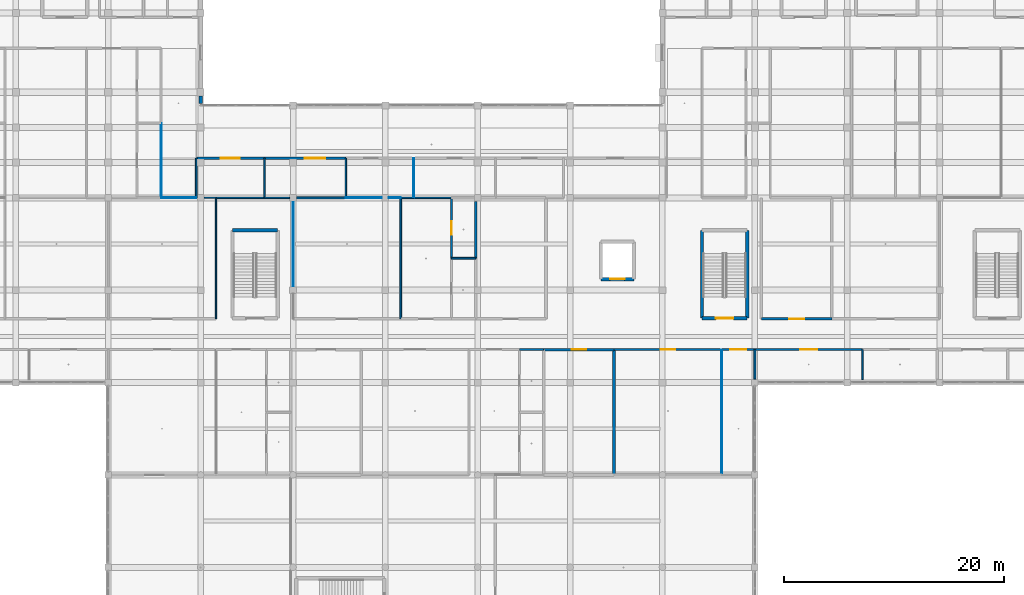
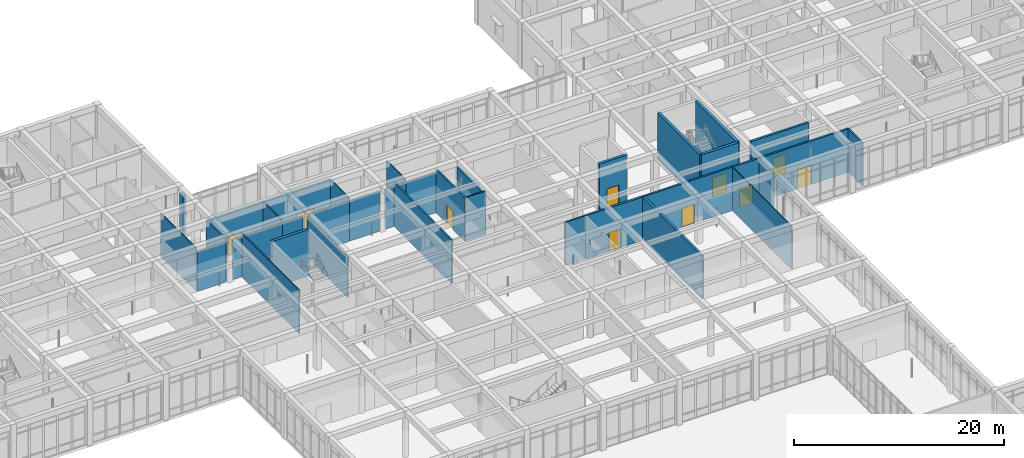
# One storey, part 86 of 157: 38 walls, 10 doors, 10 openings.
"""IFC4 building model written with IfcOpenShell, lengths in metres."""

import ifcopenshell
import ifcopenshell.guid

model = None  # the IFC model being written
_history = None  # IfcOwnerHistory: only IFC2X3 demands one
_inside = {}  # id of a spatial element -> (the spatial element, [elements in it])
_under = {}  # id of a project, library or spatial element -> (it, [spatial elements below it])
_declared = {}  # id of a project -> (the project, [libraries it declares])
_typed = {}  # id of a type object -> (the type object, [elements of that type])
_made_of = {}  # id of a material, layer set ... -> (it, [elements and type objects made of it])


def new_model(schema):
    """Start an empty IFC model of exactly this schema.

    Asked for "IFC4X3", IfcOpenShell would pick the latest addendum, in which some entities
    have other attributes; the version numbers below select the first issue.
    IFC2X3 requires an IfcOwnerHistory on every rooted entity: one is made here for all.
    """
    global model, _history
    if schema == "IFC4X3":
        model = ifcopenshell.file(schema_version=(4, 3, 0, 0))
    else:
        model = ifcopenshell.file(schema=schema)
    _inside.clear()
    _under.clear()
    _declared.clear()
    _typed.clear()
    _made_of.clear()
    _history = None
    if model.schema == "IFC2X3":
        org = make("IfcOrganization", Name="unknown")
        user = make(
            "IfcPersonAndOrganization",
            ThePerson=make("IfcPerson", FamilyName="unknown"),
            TheOrganization=org,
        )
        app = make(
            "IfcApplication",
            ApplicationDeveloper=org,
            Version="unknown",
            ApplicationFullName="unknown",
            ApplicationIdentifier="unknown",
        )
        _history = make(
            "IfcOwnerHistory",
            OwningUser=user,
            OwningApplication=app,
            ChangeAction="ADDED",
            CreationDate=0,
        )
    return model


def make(cls, **values):
    """One entity of the class cls with the attributes given. An attribute that is None is left unset."""
    return model.create_entity(
        cls, **{name: value for name, value in values.items() if value is not None}
    )


def rooted(cls, **values):
    """An entity with a GlobalId (a new one), such as an element, a storey or a relation."""
    return make(cls, GlobalId=ifcopenshell.guid.new(), OwnerHistory=_history, **values)


def si_unit(unit_type, name, prefix=None):
    """IfcSIUnit, for example si_unit("LENGTHUNIT", "METRE", prefix="MILLI")."""
    return make("IfcSIUnit", UnitType=unit_type, Prefix=prefix, Name=name)


def assignment(units):
    """IfcUnitAssignment: the units of a project."""
    return None if units is None else make("IfcUnitAssignment", Units=units)


def point(xyz):
    """IfcCartesianPoint."""
    return None if xyz is None else make("IfcCartesianPoint", Coordinates=xyz)


def direction(xyz):
    """IfcDirection."""
    return None if xyz is None else make("IfcDirection", DirectionRatios=xyz)


def frame(location, z_axis=None, x_axis=None):
    """IfcAxis2Placement3D, a coordinate frame: its origin and axes. An axis left out is left unset."""
    return make(
        "IfcAxis2Placement3D",
        Location=point(location),
        Axis=direction(z_axis),
        RefDirection=direction(x_axis),
    )


def frame_2d(location, x_axis=None):
    """IfcAxis2Placement2D, a coordinate frame in the plane: its origin and x axis."""
    return make(
        "IfcAxis2Placement2D", Location=point(location), RefDirection=direction(x_axis)
    )


def origin():
    """The frame at (0, 0, 0) with its axes left unset."""
    return frame((0.0, 0.0, 0.0))


def place(relative_to, where):
    """IfcLocalPlacement: puts the frame where relative to a parent placement (None: the world)."""
    return make(
        "IfcLocalPlacement", PlacementRelTo=relative_to, RelativePlacement=where
    )


def context(
    kind, dimensions, precision=None, world=None, true_north=None, identifier=None
):
    """IfcGeometricRepresentationContext, for example the 3D "Model" context."""
    return make(
        "IfcGeometricRepresentationContext",
        ContextIdentifier=identifier,
        ContextType=kind,
        CoordinateSpaceDimension=dimensions,
        Precision=precision,
        WorldCoordinateSystem=world,
        TrueNorth=true_north,
    )


def subcontext(parent, identifier, kind, view, scale=None):
    """IfcGeometricRepresentationSubContext, for example "Body" below "Model"."""
    return make(
        "IfcGeometricRepresentationSubContext",
        ContextIdentifier=identifier,
        ContextType=kind,
        ParentContext=parent,
        TargetScale=scale,
        TargetView=view,
    )


def project(units=None, contexts=None):
    """IfcProject with its units and contexts."""
    return rooted(
        "IfcProject",
        Name="project",
        RepresentationContexts=contexts,
        UnitsInContext=assignment(units),
    )


def spatial(cls, under=None, at=None, **own):
    """A site, building, storey or space (cls), placed at a placement, below another one or the project."""
    s = rooted(cls, ObjectPlacement=at, **own)
    if under is not None:
        _under.setdefault(under.id(), (under, []))[1].append(s)
    return s


def profile(cls, at=None, kind="AREA", **sizes):
    """A parametric profile (cls). Its sizes go by their IFC names, for example OverallWidth=200.0."""
    return make(cls, ProfileType=kind, Position=at, **sizes)


def rectangle(**sizes):
    """IfcRectangleProfileDef."""
    return profile("IfcRectangleProfileDef", **sizes)


def extrude(swept, where, along, depth):
    """IfcExtrudedAreaSolid: the profile swept, set in the frame where, extruded along a direction by depth."""
    return make(
        "IfcExtrudedAreaSolid",
        SweptArea=swept,
        Position=where,
        ExtrudedDirection=direction(along),
        Depth=depth,
    )


def shape(context_of_items, identifier, shape_type, items):
    """IfcShapeRepresentation: the items that make up one representation, for example the "Body"."""
    return make(
        "IfcShapeRepresentation",
        ContextOfItems=context_of_items,
        RepresentationIdentifier=identifier,
        RepresentationType=shape_type,
        Items=items,
    )


def material(Name=None, Category=None):
    """IfcMaterial."""
    return make("IfcMaterial", Name=Name, Category=Category)


def layer(
    of_material, thickness, ventilated=None, Name=None, Category=None, Priority=None
):
    """IfcMaterialLayer: one layer of a wall or slab, of a material (None: an air gap)."""
    return make(
        "IfcMaterialLayer",
        Material=of_material,
        LayerThickness=thickness,
        IsVentilated=ventilated,
        Name=Name,
        Category=Category,
        Priority=Priority,
    )


def layer_set(layers, Name=None):
    """IfcMaterialLayerSet."""
    return make("IfcMaterialLayerSet", MaterialLayers=layers, LayerSetName=Name)


def made_of(thing, what):
    """Note that an element or type object is made of a material, layer set ...; save() writes the relation."""
    if what is not None:
        _made_of.setdefault(what.id(), (what, []))[1].append(thing)
    return thing


def type_object(cls, material=None, **own):
    """A type object (cls), such as IfcWallType, which elements share."""
    return made_of(rooted(cls, **own), material)


def element(
    cls,
    number,
    at=None,
    inside=None,
    cuts=None,
    type_object=None,
    material=None,
    context=None,
    identifier="Body",
    shape_type=None,
    held_by="IfcProductDefinitionShape",
    body=None,
    shapes=None,
    **own,
):
    """One element of the class cls, such as IfcWall. Its Tag is "e" and its number.

    at: its placement. inside: the storey or other place that contains it. cuts: it is an
    opening in that element (IfcRelVoidsElement). A single representation is given by context,
    identifier, shape_type and body (its items); several are given by shapes. held_by: the class
    of the entity that holds the representations. save() writes the other relations.
    """
    e = rooted(cls, Tag="e%d" % number, ObjectPlacement=at, **own)
    if body is not None:
        shapes = [shape(context, identifier, shape_type, body)]
    if shapes is not None:
        e.Representation = make(held_by, Representations=shapes)
    if inside is not None:
        _inside.setdefault(inside.id(), (inside, []))[1].append(e)
    if cuts is not None:
        rooted(
            "IfcRelVoidsElement", RelatingBuildingElement=cuts, RelatedOpeningElement=e
        )
    if type_object is not None:
        _typed.setdefault(type_object.id(), (type_object, []))[1].append(e)
    return made_of(e, material)


def fill(opening, filler):
    """IfcRelFillsElement: the door or window that sits in an opening."""
    return rooted(
        "IfcRelFillsElement",
        RelatingOpeningElement=opening,
        RelatedBuildingElement=filler,
    )


def aggregate(whole, parts):
    """IfcRelAggregates: a whole, such as a stair, and the parts it consists of."""
    return rooted("IfcRelAggregates", RelatingObject=whole, RelatedObjects=parts)


def save(model, path):
    """Write the relations noted so far, then the file.

    IfcRelAggregates (storeys below a building ...), IfcRelContainedInSpatialStructure (elements
    in a storey), IfcRelDefinesByType, IfcRelAssociatesMaterial and IfcRelDeclares: one each for
    every whole, place, type object, material and project.
    """
    for whole, parts in _under.values():
        aggregate(whole, parts)
    for where, things in _inside.values():
        rooted(
            "IfcRelContainedInSpatialStructure",
            RelatedElements=things,
            RelatingStructure=where,
        )
    for kind, things in _typed.values():
        rooted("IfcRelDefinesByType", RelatedObjects=things, RelatingType=kind)
    for what, things in _made_of.values():
        rooted("IfcRelAssociatesMaterial", RelatedObjects=things, RelatingMaterial=what)
    for by, libraries in _declared.values():
        rooted("IfcRelDeclares", RelatingContext=by, RelatedDefinitions=libraries)
    model.write(path)


model = new_model("IFC4")

# Units and contexts
model_context = context("Model", 3, precision=1e-05, world=origin(), true_north=direction((0.0, 1.0)))
body_context = subcontext(model_context, "Body", "Model", "MODEL_VIEW")
ifc_project = project(units=[si_unit("LENGTHUNIT", "METRE"), si_unit("AREAUNIT", "SQUARE_METRE"), si_unit("VOLUMEUNIT", "CUBIC_METRE"), si_unit("PLANEANGLEUNIT", "RADIAN"), si_unit("MASSUNIT", "GRAM", prefix="KILO")], contexts=[model_context])

# Site, building, storey
site_placement = place(None, origin())
site = spatial("IfcSite", under=ifc_project, at=site_placement, CompositionType="ELEMENT")
building_placement = place(site_placement, origin())
building = spatial("IfcBuilding", under=site, at=building_placement, Name="Varncliffe General Hospital", CompositionType="ELEMENT")
storey_placement = place(building_placement, frame((0.0, 0.0, 5.39990234375)))
storey = spatial("IfcBuildingStorey", under=building, at=storey_placement, Name="L01", CompositionType="ELEMENT", Elevation=5.39990234375)

# Walls
ifc_material_1 = material(Name="Precast concrete C40/50 with insulated cream lime-cement stucco", Category="concrete")
ifc_layer_1 = layer(ifc_material_1, 0.31005859375)
ifc_layer_set_1 = layer_set([ifc_layer_1], Name="Precast concrete C40/50 with insulated cream lime-cement stucco")
wall_type_1 = type_object("IfcWallType", Name="Exterior Insulated Stucco Wall EW20 (310mm)", PredefinedType="SOLIDWALL", material=ifc_layer_set_1)
wall_1_placement = place(storey_placement, frame((67.199951171875, 108.876953125, 0.0), z_axis=(0.0, 0.0, 1.0), x_axis=(0.0, -1.0, 0.0)))
element("IfcWall", 1, at=wall_1_placement, inside=storey, type_object=wall_type_1, Name="L01 Exterior Stucco Wall EW20-124", PredefinedType="SOLIDWALL", context=body_context, shape_type="SweptSolid", body=[
    extrude(rectangle(XDim=0.681884765625, YDim=0.31005859375, at=frame_2d((0.3408203125, 0.0))), origin(), (0.0, 0.0, 1.0), 4.68017578125),
])
ifc_material_2 = material(Name="Acoustic clinical gypsum stud partition assembly", Category="gypsum")
ifc_layer_2 = layer(ifc_material_2, 0.1298828125)
ifc_layer_set_2 = layer_set([ifc_layer_2], Name="Acoustic clinical gypsum stud partition assembly")
wall_type_2 = type_object("IfcWallType", Name="Interior Partitioning IW11 (130mm)", PredefinedType="PARTITIONING", material=ifc_layer_set_2)
wall_2_placement = place(storey_placement, frame((68.60009765625, 99.60009765625, 0.0), z_axis=(0.0, 0.0, 1.0), x_axis=(1.0, 0.0, 0.0)))
element("IfcWall", 2, at=wall_2_placement, inside=storey, type_object=wall_type_2, Name="L01 Interior Partition Wall IW11-568", PredefinedType="PARTITIONING", context=body_context, shape_type="SweptSolid", body=[
    extrude(rectangle(XDim=4.39990234375, YDim=0.1298828125, at=frame_2d((2.199951171875, 0.0))), origin(), (0.0, 0.0, 1.0), 4.68505859375),
])
wall_3_placement = place(storey_placement, frame((85.39990234375, 99.60009765625, 0.0), z_axis=(0.0, 0.0, 1.0), x_axis=(1.0, 0.0, 0.0)))
element("IfcWall", 3, at=wall_3_placement, inside=storey, type_object=wall_type_2, Name="L01 Interior Partition Wall IW11-573", PredefinedType="PARTITIONING", context=body_context, shape_type="SweptSolid", body=[
    extrude(rectangle(XDim=1.2001953125, YDim=0.1298828125, at=frame_2d((0.60009765625, 0.0))), origin(), (0.0, 0.0, 1.0), 4.68505859375),
])
for number, where, z_axis, x_axis, name in (
    (4, (73.0, 99.60009765625, 0.0), (0.0, 0.0, 1.0), (0.0, 1.0, 0.0), "L01 Interior Partition Wall IW11-763"),
    (5, (80.39990234375, 99.60009765625, 0.0), (0.0, 0.0, 1.0), (0.0, 1.0, 0.0), "L01 Interior Partition Wall IW11-773"),
):
    element("IfcWall", number, at=place(storey_placement, frame(where, z_axis=z_axis, x_axis=x_axis)), inside=storey, type_object=wall_type_2, Name=name, PredefinedType="PARTITIONING", context=body_context, shape_type="SweptSolid", body=[
        extrude(rectangle(XDim=3.599853515625, YDim=0.1298828125, at=frame_2d((1.7998046875, 0.0))), origin(), (0.0, 0.0, 1.0), 5.050048828125),
    ])
ifc_layer_3 = layer(ifc_material_2, 0.169921875)
ifc_layer_set_3 = layer_set([ifc_layer_3], Name="Acoustic clinical gypsum stud partition assembly")
wall_type_3 = type_object("IfcWallType", Name="Interior Partitioning IW20 (170mm)", PredefinedType="PARTITIONING", material=ifc_layer_set_3)
wall_4_placement = place(storey_placement, frame((75.9150390625, 99.60009765625, 0.0), z_axis=(0.0, 0.0, 1.0), x_axis=(1.0, 0.0, 0.0)))
element("IfcWall", 6, at=wall_4_placement, inside=storey, type_object=wall_type_3, Name="L01 Interior Partition Wall IW20-570", PredefinedType="PARTITIONING", context=body_context, shape_type="SweptSolid", body=[
    extrude(rectangle(XDim=4.48486328125, YDim=0.169921875, at=frame_2d((2.242431640625, 0.0))), origin(), (0.0, 0.0, 1.0), 4.68505859375),
])
wall_5_placement = place(storey_placement, frame((66.800048828125, 99.60009765625, 0.0), z_axis=(0.0, 0.0, 1.0), x_axis=(0.0, 1.0, 0.0)))
element("IfcWall", 7, at=wall_5_placement, inside=storey, type_object=wall_type_3, Name="L01 Interior Partition Wall IW20-760", PredefinedType="PARTITIONING", context=body_context, shape_type="SweptSolid", body=[
    extrude(rectangle(XDim=3.599853515625, YDim=0.169921875, at=frame_2d((1.7998046875, 0.0))), origin(), (0.0, 0.0, 1.0), 5.050048828125),
])
wall_6_placement = place(storey_placement, frame((85.39990234375, 88.60009765625, 0.0), z_axis=(0.0, 0.0, 1.0), x_axis=(0.0, 1.0, 0.0)))
element("IfcWall", 8, at=wall_6_placement, inside=storey, type_object=wall_type_3, Name="L01 Interior Partition Wall IW20-775", PredefinedType="PARTITIONING", context=body_context, shape_type="SweptSolid", body=[
    extrude(rectangle(XDim=11.0, YDim=0.169921875, at=frame_2d((5.5, 0.0))), origin(), (0.0, 0.0, 1.0), 5.050048828125),
])
wall_7_placement = place(storey_placement, frame((117.60009765625, 83.114990234375, 0.0), z_axis=(0.0, 0.0, 1.0), x_axis=(0.0, 1.0, 0.0)))
element("IfcWall", 9, at=wall_7_placement, inside=storey, type_object=wall_type_3, Name="L01 Interior Partition Wall IW20-805", PredefinedType="PARTITIONING", context=body_context, shape_type="SweptSolid", body=[
    extrude(rectangle(XDim=2.68505859375, YDim=0.169921875, at=frame_2d((1.342529296875, 0.0))), origin(), (0.0, 0.0, 1.0), 4.735107421875),
])
ifc_layer_4 = layer(ifc_material_2, 0.14990234375)
ifc_layer_set_4 = layer_set([ifc_layer_4], Name="Acoustic clinical gypsum stud partition assembly")
wall_type_4 = type_object("IfcWallType", Name="Interior Partitioning IW35 (150mm)", PredefinedType="PARTITIONING", material=ifc_layer_set_4)
wall_8_placement = place(storey_placement, frame((73.0, 99.60009765625, 0.0), z_axis=(0.0, 0.0, 1.0), x_axis=(1.0, 0.0, 0.0)))
element("IfcWall", 10, at=wall_8_placement, inside=storey, type_object=wall_type_4, Name="L01 Interior Partition Wall IW35-569", PredefinedType="PARTITIONING", context=body_context, shape_type="SweptSolid", body=[
    extrude(rectangle(XDim=2.284912109375, YDim=0.14990234375, at=frame_2d((1.142578125, 0.0))), origin(), (0.0, 0.0, 1.0), 4.68505859375),
])
wall_9_placement = place(storey_placement, frame((86.60009765625, 99.60009765625, 0.0), z_axis=(0.0, 0.0, 1.0), x_axis=(1.0, 0.0, 0.0)))
element("IfcWall", 11, at=wall_9_placement, inside=storey, type_object=wall_type_4, Name="L01 Interior Partition Wall IW35-574", PredefinedType="PARTITIONING", context=body_context, shape_type="SweptSolid", body=[
    extrude(rectangle(XDim=3.39990234375, YDim=0.14990234375, at=frame_2d((1.699951171875, 0.0))), origin(), (0.0, 0.0, 1.0), 4.68505859375),
])
wall_10_placement = place(storey_placement, frame((127.39990234375, 83.06005859375, 0.0), z_axis=(0.0, 0.0, 1.0), x_axis=(0.0, 1.0, 0.0)))
element("IfcWall", 12, at=wall_10_placement, inside=storey, type_object=wall_type_4, Name="L01 Interior Partition Wall IW35-814", PredefinedType="PARTITIONING", context=body_context, shape_type="SweptSolid", body=[
    extrude(rectangle(XDim=2.739990234375, YDim=0.14990234375, at=frame_2d((1.3701171875, 0.0))), origin(), (0.0, 0.0, 1.0), 5.050048828125),
])
ifc_layer_5 = layer(ifc_material_2, 0.090087890625)
ifc_layer_set_5 = layer_set([ifc_layer_5], Name="Acoustic clinical gypsum stud partition assembly")
wall_type_5 = type_object("IfcWallType", Name="Interior Partitioning IW42 (90mm)", PredefinedType="PARTITIONING", material=ifc_layer_set_5)
wall_11_placement = place(storey_placement, frame((63.60009765625, 99.60009765625, 0.0), z_axis=(0.0, 0.0, 1.0), x_axis=(1.0, 0.0, 0.0)))
element("IfcWall", 13, at=wall_11_placement, inside=storey, type_object=wall_type_5, Name="L01 Interior Partition Wall IW42-566", PredefinedType="PARTITIONING", context=body_context, shape_type="SweptSolid", body=[
    extrude(rectangle(XDim=3.199951171875, YDim=0.090087890625, at=frame_2d((1.60009765625, 0.0))), origin(), (0.0, 0.0, 1.0), 4.68505859375),
])
wall_12_placement = place(storey_placement, frame((80.39990234375, 99.60009765625, 0.0), z_axis=(0.0, 0.0, 1.0), x_axis=(1.0, 0.0, 0.0)))
element("IfcWall", 14, at=wall_12_placement, inside=storey, type_object=wall_type_5, Name="L01 Interior Partition Wall IW42-571", PredefinedType="PARTITIONING", context=body_context, shape_type="SweptSolid", body=[
    extrude(rectangle(XDim=3.28515625, YDim=0.090087890625, at=frame_2d((1.642578125, 0.0))), origin(), (0.0, 0.0, 1.0), 4.68505859375),
])
wall_13_placement = place(storey_placement, frame((84.31494140625, 99.60009765625, 0.0), z_axis=(0.0, 0.0, 1.0), x_axis=(1.0, 0.0, 0.0)))
element("IfcWall", 15, at=wall_13_placement, inside=storey, type_object=wall_type_5, Name="L01 Interior Partition Wall IW42-572", PredefinedType="PARTITIONING", context=body_context, shape_type="SweptSolid", body=[
    extrude(rectangle(XDim=1.0849609375, YDim=0.090087890625, at=frame_2d((0.54248046875, 0.0))), origin(), (0.0, 0.0, 1.0), 4.68505859375),
])
wall_14_placement = place(storey_placement, frame((63.60009765625, 99.60009765625, 0.0), z_axis=(0.0, 0.0, 1.0), x_axis=(0.0, 1.0, 0.0)))
element("IfcWall", 16, at=wall_14_placement, inside=storey, type_object=wall_type_5, Name="L01 Interior Partition Wall IW42-756", PredefinedType="PARTITIONING", context=body_context, shape_type="SweptSolid", body=[
    extrude(rectangle(XDim=6.7998046875, YDim=0.090087890625, at=frame_2d((3.39990234375, 0.0))), origin(), (0.0, 0.0, 1.0), 5.050048828125),
])
wall_15_placement = place(storey_placement, frame((75.60009765625, 91.514892578125, 0.0), z_axis=(0.0, 0.0, 1.0), x_axis=(0.0, 1.0, 0.0)))
element("IfcWall", 17, at=wall_15_placement, inside=storey, type_object=wall_type_5, Name="L01 Interior Partition Wall IW42-771", PredefinedType="PARTITIONING", context=body_context, shape_type="SweptSolid", body=[
    extrude(rectangle(XDim=7.77001953125, YDim=0.090087890625, at=frame_2d((3.885009765625, 0.0))), origin(), (0.0, 0.0, 1.0), 4.735107421875),
])
wall_16_placement = place(storey_placement, frame((86.60009765625, 99.60009765625, 0.0), z_axis=(0.0, 0.0, 1.0), x_axis=(0.0, 1.0, 0.0)))
element("IfcWall", 18, at=wall_16_placement, inside=storey, type_object=wall_type_5, Name="L01 Interior Partition Wall IW42-776", PredefinedType="PARTITIONING", context=body_context, shape_type="SweptSolid", body=[
    extrude(rectangle(XDim=3.599853515625, YDim=0.090087890625, at=frame_2d((1.7998046875, 0.0))), origin(), (0.0, 0.0, 1.0), 5.050048828125),
])
wall_17_placement = place(storey_placement, frame((114.60009765625, 74.39990234375, 0.0), z_axis=(0.0, 0.0, 1.0), x_axis=(0.0, 1.0, 0.0)))
element("IfcWall", 19, at=wall_17_placement, inside=storey, type_object=wall_type_5, Name="L01 Interior Partition Wall IW42-796", PredefinedType="PARTITIONING", context=body_context, shape_type="SweptSolid", body=[
    extrude(rectangle(XDim=11.400146484375, YDim=0.090087890625, at=frame_2d((5.7001953125, 0.0))), origin(), (0.0, 0.0, 1.0), 5.050048828125),
])
ifc_layer_6 = layer(ifc_material_2, 0.110107421875)
ifc_layer_set_6 = layer_set([ifc_layer_6], Name="Acoustic clinical gypsum stud partition assembly")
wall_type_6 = type_object("IfcWallType", Name="Interior Partitioning IW65 (110mm)", PredefinedType="PARTITIONING", material=ifc_layer_set_6)
wall_18_placement = place(storey_placement, frame((67.514892578125, 99.60009765625, 0.0), z_axis=(0.0, 0.0, 1.0), x_axis=(1.0, 0.0, 0.0)))
element("IfcWall", 20, at=wall_18_placement, inside=storey, type_object=wall_type_6, Name="L01 Interior Partition Wall IW65-567", PredefinedType="PARTITIONING", context=body_context, shape_type="SweptSolid", body=[
    extrude(rectangle(XDim=1.085205078125, YDim=0.110107421875, at=frame_2d((0.54248046875, 0.0))), origin(), (0.0, 0.0, 1.0), 4.68505859375),
])
wall_19_placement = place(storey_placement, frame((68.60009765625, 88.60009765625, 0.0), z_axis=(0.0, 0.0, 1.0), x_axis=(0.0, 1.0, 0.0)))
element("IfcWall", 21, at=wall_19_placement, inside=storey, type_object=wall_type_6, Name="L01 Interior Partition Wall IW65-762", PredefinedType="PARTITIONING", context=body_context, shape_type="SweptSolid", body=[
    extrude(rectangle(XDim=11.0, YDim=0.110107421875, at=frame_2d((5.5, 0.0))), origin(), (0.0, 0.0, 1.0), 5.050048828125),
])
ifc_material_3 = material(Name="Fire-rated gypsum and mineral-wool partition assembly", Category="gypsum")
ifc_layer_7 = layer(ifc_material_3, 0.25)
ifc_layer_set_7 = layer_set([ifc_layer_7], Name="Fire-rated gypsum and mineral-wool partition assembly")
wall_type_7 = type_object("IfcWallType", Name="Interior Partitioning PW38 (250mm)", PredefinedType="PARTITIONING", material=ifc_layer_set_7)
wall_20_placement = place(storey_placement, frame((104.800048828125, 74.39990234375, 0.0), z_axis=(0.0, 0.0, 1.0), x_axis=(0.0, 1.0, 0.0)))
element("IfcWall", 22, at=wall_20_placement, inside=storey, type_object=wall_type_7, Name="L01 Interior Partition Wall PW38-791", PredefinedType="PARTITIONING", context=body_context, shape_type="SweptSolid", body=[
    extrude(rectangle(XDim=11.400146484375, YDim=0.25, at=frame_2d((5.7001953125, 0.0))), origin(), (0.0, 0.0, 1.0), 5.050048828125),
])

# Wall, opening, door
ifc_layer_8 = layer(ifc_material_3, 0.22998046875)
ifc_layer_set_8 = layer_set([ifc_layer_8], Name="Fire-rated gypsum and mineral-wool partition assembly")
wall_type_8 = type_object("IfcWallType", Name="Interior Partitioning PW48 (230mm)", PredefinedType="PARTITIONING", material=ifc_layer_set_8)
wall_21_placement = place(storey_placement, frame((98.39990234375, 85.800048828125, 0.0), z_axis=(0.0, 0.0, 1.0), x_axis=(1.0, 0.0, 0.0)))
wall_21 = element("IfcWall", 23, at=wall_21_placement, inside=storey, type_object=wall_type_8, Name="L01 Interior Partition Wall PW48-520", PredefinedType="PARTITIONING", context=body_context, shape_type="SweptSolid", body=[
    extrude(rectangle(XDim=6.400146484375, YDim=0.22998046875, at=frame_2d((3.2001953125, 0.0))), origin(), (0.0, 0.0, 1.0), 5.050048828125),
])
opening_1_placement = place(wall_21_placement, frame((2.550048828125, 0.0, 0.0)))
opening_1 = element("IfcOpeningElement", 24, at=opening_1_placement, cuts=wall_21, Name="Opening DC88", PredefinedType="OPENING", context=body_context, shape_type="SweptSolid", body=[
    extrude(rectangle(XDim=1.300048828125, YDim=2.199951171875, at=frame_2d((0.64990234375, 1.10009765625))), frame((0.0, 0.125, 0.0), z_axis=(0.0, -1.0, 0.0), x_axis=(1.0, 0.0, 0.0)), (0.0, 0.0, 1.0), 0.25),
])
ifc_material_4 = material(Name="Fire-rated hospital steel-frame vision-panel door", Category="steel")
door_type_1 = type_object("IfcDoorType", Name="Interior Hospital Door DC88 (1300x2200)", OperationType="NOTDEFINED", PredefinedType="DOOR", material=ifc_material_4)
door_1_placement = place(opening_1_placement, frame((1.300048828125, 0.0, 0.0), z_axis=(0.0, 0.0, 1.0), x_axis=(-1.0, 0.0, 0.0)))
door_1 = element("IfcDoor", 25, at=door_1_placement, inside=storey, type_object=door_type_1, Name="L01 Pharmacy Cold-Chain Stockroom 86 Door", OperationType="SINGLE_SWING_RIGHT", OverallHeight=2.199951171875, OverallWidth=1.300048828125, PredefinedType="DOOR", context=body_context, shape_type="SweptSolid", body=[
    extrude(rectangle(XDim=1.300048828125, YDim=2.199951171875, at=frame_2d((0.64990234375, 1.10009765625))), frame((0.0, 0.02490234375, 0.0), z_axis=(0.0, -1.0, 0.0), x_axis=(1.0, 0.0, 0.0)), (0.0, 0.0, 1.0), 0.050048828125),
])
fill(opening_1, door_1)

wall_22_placement = place(storey_placement, frame((118.199951171875, 88.60009765625, 0.0), z_axis=(0.0, 0.0, 1.0), x_axis=(1.0, 0.0, 0.0)))
wall_22 = element("IfcWall", 26, at=wall_22_placement, inside=storey, type_object=wall_type_8, Name="L01 Interior Partition Wall PW48-536", PredefinedType="PARTITIONING", context=body_context, shape_type="SweptSolid", body=[
    extrude(rectangle(XDim=6.400146484375, YDim=0.22998046875, at=frame_2d((3.2001953125, 0.0))), origin(), (0.0, 0.0, 1.0), 5.050048828125),
])
opening_2_placement = place(wall_22_placement, frame((2.52490234375, 0.0, 0.0)))
opening_2 = element("IfcOpeningElement", 27, at=opening_2_placement, cuts=wall_22, Name="Opening DC85", PredefinedType="OPENING", context=body_context, shape_type="SweptSolid", body=[
    extrude(rectangle(XDim=1.35009765625, YDim=2.199951171875, at=frame_2d((0.675048828125, 1.10009765625))), frame((0.0, 0.125, 0.0), z_axis=(0.0, -1.0, 0.0), x_axis=(1.0, 0.0, 0.0)), (0.0, 0.0, 1.0), 0.25),
])
door_type_2 = type_object("IfcDoorType", Name="Interior Hospital Door DC85 (1350x2200)", OperationType="NOTDEFINED", PredefinedType="DOOR", material=ifc_material_4)
door_2_placement = place(opening_2_placement, origin())
door_2 = element("IfcDoor", 28, at=door_2_placement, inside=storey, type_object=door_type_2, Name="L01 Pharmacy Cold-Chain Stockroom 99 Door", OperationType="SINGLE_SWING_LEFT", OverallHeight=2.199951171875, OverallWidth=1.35009765625, PredefinedType="DOOR", context=body_context, shape_type="SweptSolid", body=[
    extrude(rectangle(XDim=1.35009765625, YDim=2.199951171875, at=frame_2d((0.675048828125, 1.10009765625))), frame((0.0, 0.02490234375, 0.0), z_axis=(0.0, -1.0, 0.0), x_axis=(1.0, 0.0, 0.0)), (0.0, 0.0, 1.0), 0.050048828125),
])
fill(opening_2, door_2)

# Wall
wall_23_placement = place(storey_placement, frame((92.199951171875, 94.10009765625, 0.0), z_axis=(0.0, 0.0, 1.0), x_axis=(0.0, 1.0, 0.0)))
element("IfcWall", 29, at=wall_23_placement, inside=storey, type_object=wall_type_8, Name="L01 Interior Partition Wall PW48-782", PredefinedType="PARTITIONING", context=body_context, shape_type="SweptSolid", body=[
    extrude(rectangle(XDim=5.184814453125, YDim=0.22998046875, at=frame_2d((2.59228515625, 0.0))), origin(), (0.0, 0.0, 1.0), 4.735107421875),
])

# Wall, opening, door
ifc_layer_9 = layer(ifc_material_3, 0.199951171875)
ifc_layer_set_9 = layer_set([ifc_layer_9], Name="Fire-rated gypsum and mineral-wool partition assembly")
wall_type_9 = type_object("IfcWallType", Name="Interior Partitioning PW63 (200mm)", PredefinedType="PARTITIONING", material=ifc_layer_set_9)
wall_24_placement = place(storey_placement, frame((104.800048828125, 85.800048828125, 0.0), z_axis=(0.0, 0.0, 1.0), x_axis=(1.0, 0.0, 0.0)))
wall_24 = element("IfcWall", 30, at=wall_24_placement, inside=storey, type_object=wall_type_9, Name="L01 Interior Partition Wall PW63-521", PredefinedType="PARTITIONING", context=body_context, shape_type="SweptSolid", body=[
    extrude(rectangle(XDim=9.800048828125, YDim=0.199951171875, at=frame_2d((4.89990234375, 0.0))), origin(), (0.0, 0.0, 1.0), 5.050048828125),
])
opening_3_placement = place(wall_24_placement, frame((4.22509765625, 0.0, 0.0)))
opening_3 = element("IfcOpeningElement", 31, at=opening_3_placement, cuts=wall_24, Name="Opening DC85", PredefinedType="OPENING", context=body_context, shape_type="SweptSolid", body=[
    extrude(rectangle(XDim=1.35009765625, YDim=2.199951171875, at=frame_2d((0.675048828125, 1.10009765625))), frame((0.0, 0.10986328125, 0.0), z_axis=(0.0, -1.0, 0.0), x_axis=(1.0, 0.0, 0.0)), (0.0, 0.0, 1.0), 0.219970703125),
])
door_3_placement = place(opening_3_placement, frame((1.35009765625, 0.0, 0.0), z_axis=(0.0, 0.0, 1.0), x_axis=(-1.0, 0.0, 0.0)))
door_3 = element("IfcDoor", 32, at=door_3_placement, inside=storey, type_object=door_type_2, Name="L01 Inpatient Hospital Pharmacy Cleanroom 87 Door", OperationType="SINGLE_SWING_LEFT", OverallHeight=2.199951171875, OverallWidth=1.35009765625, PredefinedType="DOOR", context=body_context, shape_type="SweptSolid", body=[
    extrude(rectangle(XDim=1.35009765625, YDim=2.199951171875, at=frame_2d((0.675048828125, 1.10009765625))), frame((0.0, 0.02490234375, 0.0), z_axis=(0.0, -1.0, 0.0), x_axis=(1.0, 0.0, 0.0)), (0.0, 0.0, 1.0), 0.050048828125),
])
fill(opening_3, door_3)

wall_25_placement = place(storey_placement, frame((114.60009765625, 85.800048828125, 0.0), z_axis=(0.0, 0.0, 1.0), x_axis=(1.0, 0.0, 0.0)))
wall_25 = element("IfcWall", 33, at=wall_25_placement, inside=storey, type_object=wall_type_9, Name="L01 Interior Partition Wall PW63-522", PredefinedType="PARTITIONING", context=body_context, shape_type="SweptSolid", body=[
    extrude(rectangle(XDim=3.0, YDim=0.199951171875, at=frame_2d((1.5, 0.0))), origin(), (0.0, 0.0, 1.0), 5.050048828125),
])
opening_4_placement = place(wall_25_placement, frame((0.77490234375, 0.0, 0.0)))
opening_4 = element("IfcOpeningElement", 34, at=opening_4_placement, cuts=wall_25, Name="Opening DC66", PredefinedType="OPENING", context=body_context, shape_type="SweptSolid", body=[
    extrude(rectangle(XDim=1.449951171875, YDim=2.25, at=frame_2d((0.72509765625, 1.125))), frame((0.0, 0.10986328125, 0.0), z_axis=(0.0, -1.0, 0.0), x_axis=(1.0, 0.0, 0.0)), (0.0, 0.0, 1.0), 0.219970703125),
])
door_type_3 = type_object("IfcDoorType", Name="Interior Hospital Door DC66 (1450x2250)", OperationType="NOTDEFINED", PredefinedType="DOOR", material=ifc_material_4)
door_4_placement = place(opening_4_placement, frame((1.449951171875, 0.0, 0.0), z_axis=(0.0, 0.0, 1.0), x_axis=(-1.0, 0.0, 0.0)))
door_4 = element("IfcDoor", 35, at=door_4_placement, inside=storey, type_object=door_type_3, Name="L01 Pre-Operative Patient Admission Bay 88 Door", OperationType="SINGLE_SWING_RIGHT", OverallHeight=2.25, OverallWidth=1.449951171875, PredefinedType="DOOR", context=body_context, shape_type="SweptSolid", body=[
    extrude(rectangle(XDim=1.449951171875, YDim=2.25, at=frame_2d((0.72509765625, 1.125))), frame((0.0, 0.02490234375, 0.0), z_axis=(0.0, -1.0, 0.0), x_axis=(1.0, 0.0, 0.0)), (0.0, 0.0, 1.0), 0.050048828125),
])
fill(opening_4, door_4)

wall_26_placement = place(storey_placement, frame((117.60009765625, 85.800048828125, 0.0), z_axis=(0.0, 0.0, 1.0), x_axis=(1.0, 0.0, 0.0)))
wall_26 = element("IfcWall", 36, at=wall_26_placement, inside=storey, type_object=wall_type_9, Name="L01 Interior Partition Wall PW63-523", PredefinedType="PARTITIONING", context=body_context, shape_type="SweptSolid", body=[
    extrude(rectangle(XDim=9.7998046875, YDim=0.199951171875, at=frame_2d((4.89990234375, 0.0))), origin(), (0.0, 0.0, 1.0), 5.050048828125),
])
opening_5_placement = place(wall_26_placement, frame((4.125, 0.0, 0.0)))
opening_5 = element("IfcOpeningElement", 37, at=opening_5_placement, cuts=wall_26, Name="Opening DC67", PredefinedType="OPENING", context=body_context, shape_type="SweptSolid", body=[
    extrude(rectangle(XDim=1.550048828125, YDim=2.25, at=frame_2d((0.77490234375, 1.125))), frame((0.0, 0.10986328125, 0.0), z_axis=(0.0, -1.0, 0.0), x_axis=(1.0, 0.0, 0.0)), (0.0, 0.0, 1.0), 0.219970703125),
])
door_type_4 = type_object("IfcDoorType", Name="Interior Hospital Door DC67 (1550x2250)", OperationType="NOTDEFINED", PredefinedType="DOOR", material=ifc_material_4)
door_5_placement = place(opening_5_placement, frame((1.550048828125, 0.0, 0.0), z_axis=(0.0, 0.0, 1.0), x_axis=(-1.0, 0.0, 0.0)))
door_5 = element("IfcDoor", 38, at=door_5_placement, inside=storey, type_object=door_type_4, Name="L01 Inpatient Hospital Pharmacy Cleanroom 89 Door", OperationType="SINGLE_SWING_LEFT", OverallHeight=2.25, OverallWidth=1.550048828125, PredefinedType="DOOR", context=body_context, shape_type="SweptSolid", body=[
    extrude(rectangle(XDim=1.550048828125, YDim=2.25, at=frame_2d((0.77490234375, 1.125))), frame((0.0, 0.02490234375, 0.0), z_axis=(0.0, -1.0, 0.0), x_axis=(1.0, 0.0, 0.0)), (0.0, 0.0, 1.0), 0.050048828125),
])
fill(opening_5, door_5)

wall_27_placement = place(storey_placement, frame((66.800048828125, 103.199951171875, 0.0), z_axis=(0.0, 0.0, 1.0), x_axis=(1.0, 0.0, 0.0)))
wall_27 = element("IfcWall", 39, at=wall_27_placement, inside=storey, type_object=wall_type_9, Name="L01 Interior Partition Wall PW63-598", PredefinedType="PARTITIONING", context=body_context, shape_type="SweptSolid", body=[
    extrude(rectangle(XDim=6.199951171875, YDim=0.199951171875, at=frame_2d((3.10009765625, 0.0))), origin(), (0.0, 0.0, 1.0), 5.050048828125),
])
opening_6_placement = place(wall_27_placement, frame((2.25, 0.0, 0.0)))
opening_6 = element("IfcOpeningElement", 40, at=opening_6_placement, cuts=wall_27, Name="Opening DC50", PredefinedType="OPENING", context=body_context, shape_type="SweptSolid", body=[
    extrude(rectangle(XDim=1.699951171875, YDim=2.300048828125, at=frame_2d((0.85009765625, 1.14990234375))), frame((0.0, 0.10986328125, 0.0), z_axis=(0.0, -1.0, 0.0), x_axis=(1.0, 0.0, 0.0)), (0.0, 0.0, 1.0), 0.219970703125),
])
door_type_5 = type_object("IfcDoorType", Name="Interior Hospital Door DC50 (1700x2300)", OperationType="NOTDEFINED", PredefinedType="DOOR", material=ifc_material_4)
door_6_placement = place(opening_6_placement, frame((1.699951171875, 0.0, 0.0), z_axis=(0.0, 0.0, 1.0), x_axis=(-1.0, 0.0, 0.0)))
door_6 = element("IfcDoor", 41, at=door_6_placement, inside=storey, type_object=door_type_5, Name="L01 General Medical Inpatient Room 189 Door", OperationType="SINGLE_SWING_RIGHT", OverallHeight=2.300048828125, OverallWidth=1.699951171875, PredefinedType="DOOR", context=body_context, shape_type="SweptSolid", body=[
    extrude(rectangle(XDim=1.699951171875, YDim=2.300048828125, at=frame_2d((0.85009765625, 1.14990234375))), frame((0.0, 0.02490234375, 0.0), z_axis=(0.0, -1.0, 0.0), x_axis=(1.0, 0.0, 0.0)), (0.0, 0.0, 1.0), 0.050048828125),
])
fill(opening_6, door_6)

wall_28_placement = place(storey_placement, frame((73.0, 103.199951171875, 0.0), z_axis=(0.0, 0.0, 1.0), x_axis=(1.0, 0.0, 0.0)))
wall_28 = element("IfcWall", 42, at=wall_28_placement, inside=storey, type_object=wall_type_9, Name="L01 Interior Partition Wall PW63-599", PredefinedType="PARTITIONING", context=body_context, shape_type="SweptSolid", body=[
    extrude(rectangle(XDim=7.39990234375, YDim=0.199951171875, at=frame_2d((3.699951171875, 0.0))), origin(), (0.0, 0.0, 1.0), 5.050048828125),
])
opening_7_placement = place(wall_28_placement, frame((3.6875, 0.0, 0.0)))
opening_7 = element("IfcOpeningElement", 43, at=opening_7_placement, cuts=wall_28, Name="Opening DC38", PredefinedType="OPENING", context=body_context, shape_type="SweptSolid", body=[
    extrude(rectangle(XDim=1.85009765625, YDim=2.300048828125, at=frame_2d((0.925048828125, 1.14990234375))), frame((0.0, 0.10986328125, 0.0), z_axis=(0.0, -1.0, 0.0), x_axis=(1.0, 0.0, 0.0)), (0.0, 0.0, 1.0), 0.219970703125),
])
door_type_6 = type_object("IfcDoorType", Name="Interior Hospital Door DC38 (1850x2300)", OperationType="NOTDEFINED", PredefinedType="DOOR", material=ifc_material_4)
door_7_placement = place(opening_7_placement, frame((1.85009765625, 0.0, 0.0), z_axis=(0.0, 0.0, 1.0), x_axis=(-1.0, 0.0, 0.0)))
door_7 = element("IfcDoor", 44, at=door_7_placement, inside=storey, type_object=door_type_6, Name="L01 Ward Nurse Station and Medication Room 190 Door", OperationType="SINGLE_SWING_LEFT", OverallHeight=2.300048828125, OverallWidth=1.85009765625, PredefinedType="DOOR", context=body_context, shape_type="SweptSolid", body=[
    extrude(rectangle(XDim=1.85009765625, YDim=2.300048828125, at=frame_2d((0.925048828125, 1.14990234375))), frame((0.0, 0.02490234375, 0.0), z_axis=(0.0, -1.0, 0.0), x_axis=(1.0, 0.0, 0.0)), (0.0, 0.0, 1.0), 0.050048828125),
])
fill(opening_7, door_7)

wall_29_placement = place(storey_placement, frame((90.0, 94.10009765625, 0.0), z_axis=(0.0, 0.0, 1.0), x_axis=(0.0, 1.0, 0.0)))
wall_29 = element("IfcWall", 45, at=wall_29_placement, inside=storey, type_object=wall_type_9, Name="L01 Interior Partition Wall PW63-778", PredefinedType="PARTITIONING", context=body_context, shape_type="SweptSolid", body=[
    extrude(rectangle(XDim=5.5, YDim=0.199951171875, at=frame_2d((2.75, 0.0))), origin(), (0.0, 0.0, 1.0), 5.050048828125),
])
opening_8_placement = place(wall_29_placement, frame((2.125, 0.0, 0.0)))
opening_8 = element("IfcOpeningElement", 46, at=opening_8_placement, cuts=wall_29, Name="Opening DC44", PredefinedType="OPENING", context=body_context, shape_type="SweptSolid", body=[
    extrude(rectangle(XDim=1.25, YDim=2.14990234375, at=frame_2d((0.625, 1.074951171875))), frame((0.0, 0.10986328125, 0.0), z_axis=(0.0, -1.0, 0.0), x_axis=(1.0, 0.0, 0.0)), (0.0, 0.0, 1.0), 0.219970703125),
])
door_type_7 = type_object("IfcDoorType", Name="Interior Hospital Door DC44 (1250x2150)", OperationType="NOTDEFINED", PredefinedType="DOOR", material=ifc_material_4)
door_8_placement = place(opening_8_placement, frame((1.25, 0.0, 0.0), z_axis=(0.0, 0.0, 1.0), x_axis=(-1.0, 0.0, 0.0)))
door_8 = element("IfcDoor", 47, at=door_8_placement, inside=storey, type_object=door_type_7, Name="L01 Patient Medication and Hygiene Bay 97 Door", OperationType="SINGLE_SWING_RIGHT", OverallHeight=2.14990234375, OverallWidth=1.25, PredefinedType="DOOR", context=body_context, shape_type="SweptSolid", body=[
    extrude(rectangle(XDim=1.25, YDim=2.14990234375, at=frame_2d((0.625, 1.074951171875))), frame((0.0, 0.02490234375, 0.0), z_axis=(0.0, -1.0, 0.0), x_axis=(1.0, 0.0, 0.0)), (0.0, 0.0, 1.0), 0.050048828125),
])
fill(opening_8, door_8)

# Walls
ifc_material_5 = material(Name="Moisture-resistant plumbing chase wall assembly", Category="gypsum")
ifc_layer_10 = layer(ifc_material_5, 0.159912109375)
ifc_layer_set_10 = layer_set([ifc_layer_10], Name="Moisture-resistant plumbing chase wall assembly")
wall_type_10 = type_object("IfcWallType", Name="Interior Plumbingwall MW31 (160mm)", PredefinedType="PLUMBINGWALL", material=ifc_layer_set_10)
for number, where, z_axis, x_axis, name in (
    (48, (96.199951171875, 85.800048828125, 0.0), (0.0, 0.0, 1.0), (1.0, 0.0, 0.0), "L01 Interior Plumbing Wall MW31-519"),
    (49, (90.0, 94.10009765625, 0.0), (0.0, 0.0, 1.0), (1.0, 0.0, 0.0), "L01 Interior Plumbing Wall MW31-543"),
):
    element("IfcWall", number, at=place(storey_placement, frame(where, z_axis=z_axis, x_axis=x_axis)), inside=storey, type_object=wall_type_10, Name=name, PredefinedType="PLUMBINGWALL", context=body_context, shape_type="SweptSolid", body=[
        extrude(rectangle(XDim=2.199951171875, YDim=0.159912109375, at=frame_2d((1.10009765625, 0.0))), origin(), (0.0, 0.0, 1.0), 5.050048828125),
    ])
ifc_material_6 = material(Name="Concrete C40/50 (CSA A23.1 40 MPa)", Category="concrete")
ifc_layer_11 = layer(ifc_material_6, 0.300048828125)
ifc_layer_set_11 = layer_set([ifc_layer_11], Name="Concrete C40/50 (CSA A23.1 40 MPa)")
wall_type_11 = type_object("IfcWallType", Name="Reinforced Concrete Core Shear Wall CW12 (300mm)", PredefinedType="SHEAR", material=ifc_layer_set_11)
for number, where, z_axis, x_axis, name in (
    (50, (116.89990234375, 88.64990234375, 0.0), (0.0, 0.0, 1.0), (0.0, 1.0, 0.0), "L01 ST06 Core Shear Wall L"),
    (51, (112.800048828125, 96.64990234375, 0.0), (0.0, 0.0, 1.0), (0.0, -1.0, 0.0), "L01 ST06 Core Shear Wall R"),
):
    element("IfcWall", number, at=place(storey_placement, frame(where, z_axis=z_axis, x_axis=x_axis)), inside=storey, type_object=wall_type_11, Name=name, PredefinedType="SHEAR", context=body_context, shape_type="SweptSolid", body=[
        extrude(rectangle(XDim=8.0, YDim=0.300048828125, at=frame_2d((4.0, 0.0))), origin(), (0.0, 0.0, 1.0), 5.400146484375),
    ])

# Wall, opening, door
wall_30_placement = place(storey_placement, frame((112.800048828125, 88.64990234375, 0.0), z_axis=(0.0, 0.0, 1.0), x_axis=(1.0, 0.0, 0.0)))
wall_30 = element("IfcWall", 52, at=wall_30_placement, inside=storey, type_object=wall_type_11, Name="L01 ST06 Core Shear Wall N", PredefinedType="SHEAR", context=body_context, shape_type="SweptSolid", body=[
    extrude(rectangle(XDim=4.099853515625, YDim=0.300048828125, at=frame_2d((2.0498046875, 0.0))), origin(), (0.0, 0.0, 1.0), 5.400146484375),
])
opening_9_placement = place(wall_30_placement, frame((1.25, 0.0, 0.0)))
opening_9 = element("IfcOpeningElement", 53, at=opening_9_placement, cuts=wall_30, Name="Opening DF27", PredefinedType="OPENING", context=body_context, shape_type="SweptSolid", body=[
    extrude(rectangle(XDim=1.60009765625, YDim=2.25, at=frame_2d((0.800048828125, 1.125))), frame((0.0, 0.16015625, 0.0), z_axis=(0.0, -1.0, 0.0), x_axis=(1.0, 0.0, 0.0)), (0.0, 0.0, 1.0), 0.320068359375),
])
door_type_8 = type_object("IfcDoorType", Name="Interior Hospital Door DF27 (1600x2250)", OperationType="NOTDEFINED", PredefinedType="DOOR", material=ifc_material_4)
door_9_placement = place(opening_9_placement, frame((1.60009765625, 0.0, 0.0), z_axis=(0.0, 0.0, 1.0), x_axis=(-1.0, 0.0, 0.0)))
door_9 = element("IfcDoor", 54, at=door_9_placement, inside=storey, type_object=door_type_8, Name="L01 ST06 Protected Exit Stair Door", OperationType="SINGLE_SWING_RIGHT", OverallHeight=2.25, OverallWidth=1.60009765625, PredefinedType="DOOR", context=body_context, shape_type="SweptSolid", body=[
    extrude(rectangle(XDim=1.60009765625, YDim=2.25, at=frame_2d((0.800048828125, 1.125))), frame((0.0, 0.02490234375, 0.0), z_axis=(0.0, -1.0, 0.0), x_axis=(1.0, 0.0, 0.0)), (0.0, 0.0, 1.0), 0.050048828125),
])
fill(opening_9, door_9)

# Wall
wall_31_placement = place(storey_placement, frame((74.199951171875, 96.64990234375, 0.0), z_axis=(0.0, 0.0, 1.0), x_axis=(-1.0, 0.0, 0.0)))
element("IfcWall", 55, at=wall_31_placement, inside=storey, type_object=wall_type_11, Name="L01 ST12 Core Shear Wall F", PredefinedType="SHEAR", context=body_context, shape_type="SweptSolid", body=[
    extrude(rectangle(XDim=4.099853515625, YDim=0.300048828125, at=frame_2d((2.0498046875, 0.0))), origin(), (0.0, 0.0, 1.0), 5.400146484375),
])

# Wall, opening, door
wall_32_placement = place(storey_placement, frame((103.60009765625, 92.199951171875, 0.0), z_axis=(0.0, 0.0, 1.0), x_axis=(1.0, 0.0, 0.0)))
wall_32 = element("IfcWall", 56, at=wall_32_placement, inside=storey, type_object=wall_type_11, Name="L01 LF07 Elevator Shaft Wall South", PredefinedType="SHEAR", context=body_context, shape_type="SweptSolid", body=[
    extrude(rectangle(XDim=3.0, YDim=0.300048828125, at=frame_2d((1.5, 0.0))), origin(), (0.0, 0.0, 1.0), 5.400146484375),
])
opening_10_placement = place(wall_32_placement, frame((0.85009765625, 0.0, 0.0)))
opening_10 = element("IfcOpeningElement", 57, at=opening_10_placement, cuts=wall_32, Name="Opening LD02", PredefinedType="OPENING", context=body_context, shape_type="SweptSolid", body=[
    extrude(rectangle(XDim=1.300048828125, YDim=2.199951171875, at=frame_2d((0.64990234375, 1.10009765625))), frame((0.0, 0.16015625, 0.0), z_axis=(0.0, -1.0, 0.0), x_axis=(1.0, 0.0, 0.0)), (0.0, 0.0, 1.0), 0.320068359375),
])
ifc_material_7 = material(Name="Brushed stainless-steel sliding elevator landing door", Category="steel")
door_type_9 = type_object("IfcDoorType", Name="Lift Landing Door LD02 (1300x2200)", OperationType="DOUBLE_DOOR_SLIDING", PredefinedType="DOOR", material=ifc_material_7)
door_10_placement = place(opening_10_placement, origin())
door_10 = element("IfcDoor", 58, at=door_10_placement, inside=storey, type_object=door_type_9, Name="Lift Landing Door LF07 L01", OperationType="DOUBLE_DOOR_SLIDING", OverallHeight=2.199951171875, OverallWidth=1.300048828125, PredefinedType="DOOR", context=body_context, shape_type="SweptSolid", body=[
    extrude(rectangle(XDim=1.300048828125, YDim=2.199951171875, at=frame_2d((0.64990234375, 1.10009765625))), frame((0.0, 0.02490234375, 0.0), z_axis=(0.0, -1.0, 0.0), x_axis=(1.0, 0.0, 0.0)), (0.0, 0.0, 1.0), 0.050048828125),
])
fill(opening_10, door_10)

save(model, "model.ifc")
